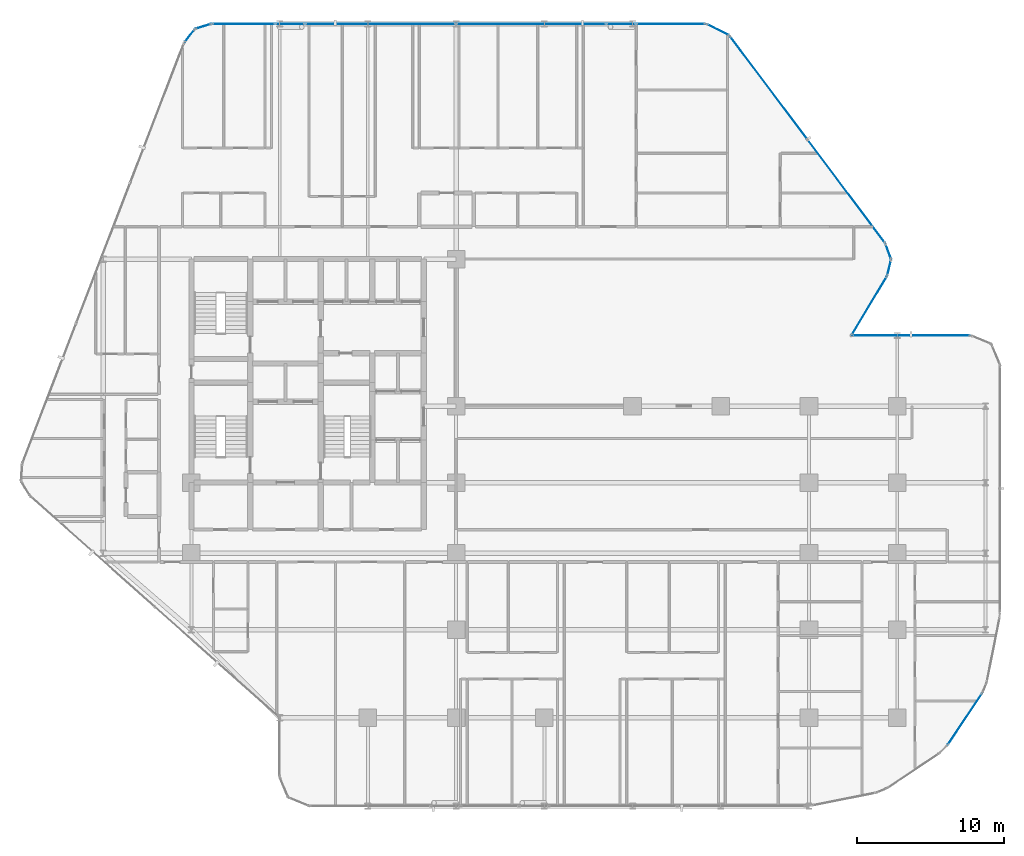
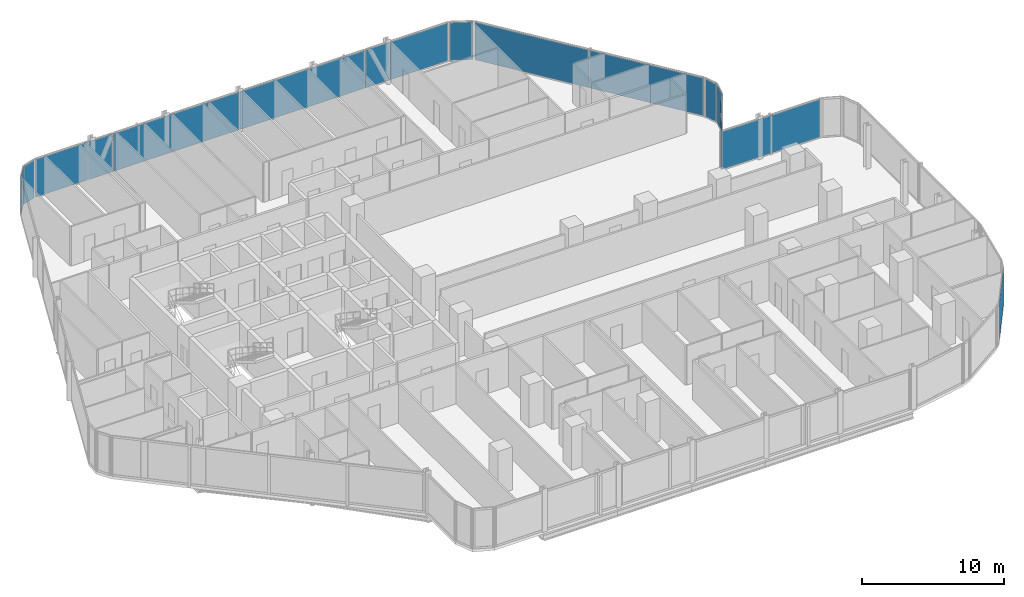
# One storey, part 24 of 34: 16 plates, 14 elements without a shape of their own.
"""IFC4 building model written with IfcOpenShell, lengths in metres."""

from ifc_helpers import new_model, si_unit, direction, frame, origin, origin_2d, place, context, subcontext, project, spatial, rectangle, extrude, material, layer, layer_set, type_object, element, aggregate, save


model = new_model("IFC4")

# Units and contexts
model_context = context("Model", 3, precision=1e-05, world=origin(), true_north=direction((0.0, 1.0)))
body_context = subcontext(model_context, "Body", "Model", "MODEL_VIEW")
ifc_project = project(units=[si_unit("LENGTHUNIT", "METRE"), si_unit("AREAUNIT", "SQUARE_METRE"), si_unit("VOLUMEUNIT", "CUBIC_METRE"), si_unit("PLANEANGLEUNIT", "RADIAN"), si_unit("MASSUNIT", "GRAM", prefix="KILO")], contexts=[model_context])

# Site, building, storey
site_placement = place(None, origin())
site = spatial("IfcSite", under=ifc_project, at=site_placement, CompositionType="ELEMENT")
building_placement = place(site_placement, origin())
building = spatial("IfcBuilding", under=site, at=building_placement, Name="Keshet Zoharim Tower", CompositionType="ELEMENT")
storey_placement = place(building_placement, frame((0.0, 0.0, 70.10009765625)))
storey = spatial("IfcBuildingStorey", under=building, at=storey_placement, Name="L16", CompositionType="ELEMENT", Elevation=70.10009765625)

# Curtain wall, plate
ifc_material_1 = material(Name="Aluminium 6063-T6", Category="aluminium")
ifc_layer_1 = layer(ifc_material_1, 0.179931640625)
ifc_layer_set_1 = layer_set([ifc_layer_1], Name="Aluminium 6063-T6")
curtain_wall_type_1 = type_object("IfcCurtainWallType", Name="CW-SYS-01", PredefinedType="NOTDEFINED", material=ifc_layer_set_1)
curtain_wall_1_placement = place(storey_placement, origin())
curtain_wall_1 = element("IfcCurtainWall", 1, at=curtain_wall_1_placement, inside=storey, type_object=curtain_wall_type_1, Name="L16 Unitised Curtain Wall 05", PredefinedType="NOTDEFINED")
ifc_material_2 = material(Name="Insulated Low-E Clear Glass", Category="glass")
ifc_layer_2 = layer(ifc_material_2, 0.035888671875)
ifc_layer_set_2 = layer_set([ifc_layer_2], Name="Insulated Low-E Clear Glass")
plate_type_1 = type_object("IfcPlateType", Name="CWP-01", PredefinedType="CURTAIN_PANEL", material=ifc_layer_set_2)
plate_1_placement = place(storey_placement, frame((14.8740234375, 53.08349609375, 0.06982421875), z_axis=(0.0, 0.0, 1.0), x_axis=(0.619124525989, 0.785292825205, 0.0)))
plate_1 = element("IfcPlate", 2, at=plate_1_placement, type_object=plate_type_1, Name="CW-01 panel 1.1", PredefinedType="CURTAIN_PANEL", context=body_context, shape_type="SweptSolid", body=[
    extrude(rectangle(XDim=1.045654296875, YDim=0.035888671875, at=origin_2d()), origin(), (0.0, 0.0, 1.0), 3.2451171875),
])
aggregate(curtain_wall_1, [plate_1])

curtain_wall_2_placement = place(storey_placement, origin())
curtain_wall_2 = element("IfcCurtainWall", 3, at=curtain_wall_2_placement, inside=storey, type_object=curtain_wall_type_1, Name="L16 Unitised Curtain Wall 06", PredefinedType="NOTDEFINED")
plate_2_placement = place(storey_placement, frame((15.8076171875, 53.724609375, 0.06982421875), z_axis=(0.0, 0.0, 1.0), x_axis=(0.955212151288, 0.295921857984, 0.0)))
plate_2 = element("IfcPlate", 4, at=plate_2_placement, type_object=plate_type_1, Name="CW-01 panel 1.1", PredefinedType="CURTAIN_PANEL", context=body_context, shape_type="SweptSolid", body=[
    extrude(rectangle(XDim=1.046142578125, YDim=0.035888671875, at=origin_2d()), origin(), (0.0, 0.0, 1.0), 3.2451171875),
])
aggregate(curtain_wall_2, [plate_2])

curtain_wall_3_placement = place(storey_placement, origin())
curtain_wall_3 = element("IfcCurtainWall", 5, at=curtain_wall_3_placement, inside=storey, type_object=curtain_wall_type_1, Name="L16 Unitised Curtain Wall 12", PredefinedType="NOTDEFINED")
plate_3_placement = place(storey_placement, frame((61.093994140625, 34.723388671875, 0.06982421875), z_axis=(0.0, 0.0, 1.0), x_axis=(-0.51446459506, -0.857511621163, 0.0)))
plate_3 = element("IfcPlate", 6, at=plate_3_placement, type_object=plate_type_1, Name="CW-01 panel 1.1", PredefinedType="CURTAIN_PANEL", context=body_context, shape_type="SweptSolid", body=[
    extrude(rectangle(XDim=4.57958984375, YDim=0.035888671875, at=origin_2d()), origin(), (0.0, 0.0, 1.0), 3.2451171875),
])
aggregate(curtain_wall_3, [plate_3])

curtain_wall_4_placement = place(storey_placement, origin())
curtain_wall_4 = element("IfcCurtainWall", 7, at=curtain_wall_4_placement, inside=storey, type_object=curtain_wall_type_1, Name="L16 Unitised Curtain Wall 20", PredefinedType="NOTDEFINED")
plate_4_placement = place(storey_placement, frame((67.60107421875, 6.615966796875, 0.06982421875), z_axis=(0.0, 0.0, 1.0), x_axis=(-0.555563243758, -0.831474282335, 0.0)))
plate_4 = element("IfcPlate", 8, at=plate_4_placement, type_object=plate_type_1, Name="CW-01 panel 1.1", PredefinedType="CURTAIN_PANEL", context=body_context, shape_type="SweptSolid", body=[
    extrude(rectangle(XDim=4.13671875, YDim=0.035888671875, at=origin_2d()), origin(), (0.0, 0.0, 1.0), 3.2451171875),
])
aggregate(curtain_wall_4, [plate_4])

ifc_layer_3 = layer(ifc_material_1, 0.169921875)
ifc_layer_set_3 = layer_set([ifc_layer_3], Name="Aluminium 6063-T6")
curtain_wall_type_2 = type_object("IfcCurtainWallType", Name="CW-SYS-02", PredefinedType="NOTDEFINED", material=ifc_layer_set_3)
curtain_wall_5_placement = place(storey_placement, origin())
curtain_wall_5 = element("IfcCurtainWall", 9, at=curtain_wall_5_placement, inside=storey, type_object=curtain_wall_type_2, Name="L16 Unitised Curtain Wall 07", PredefinedType="NOTDEFINED")
ifc_layer_4 = layer(ifc_material_2, 0.031982421875)
ifc_layer_set_4 = layer_set([ifc_layer_4], Name="Insulated Low-E Clear Glass")
plate_type_2 = type_object("IfcPlateType", Name="CWP-02", PredefinedType="CURTAIN_PANEL", material=ifc_layer_set_4)
plate_5_placement = place(storey_placement, frame((18.5556640625, 53.89990234375, 0.06982421875), z_axis=(0.0, 0.0, 1.0), x_axis=(1.0, 0.0, 0.0)))
plate_5 = element("IfcPlate", 10, at=plate_5_placement, type_object=plate_type_2, Name="CW-02 panel 1.1", PredefinedType="CURTAIN_PANEL", context=body_context, shape_type="SweptSolid", body=[
    extrude(rectangle(XDim=4.223388671875, YDim=0.031982421875, at=origin_2d()), origin(), (0.0, 0.0, 1.0), 3.2451171875),
])
aggregate(curtain_wall_5, [plate_5])

# Curtain wall, plates
curtain_wall_6_placement = place(storey_placement, origin())
curtain_wall_6 = element("IfcCurtainWall", 11, at=curtain_wall_6_placement, inside=storey, type_object=curtain_wall_type_2, Name="L16 Unitised Curtain Wall 07 Part 3", PredefinedType="NOTDEFINED")
plate_6_placement = place(storey_placement, frame((27.86376953125, 53.89990234375, 0.06982421875), z_axis=(0.0, 0.0, 1.0), x_axis=(1.0, 0.0, 0.0)))
plate_6 = element("IfcPlate", 12, at=plate_6_placement, type_object=plate_type_2, Name="CW-02 panel 1.1", PredefinedType="CURTAIN_PANEL", context=body_context, shape_type="SweptSolid", body=[
    extrude(rectangle(XDim=10.202392578125, YDim=0.031982421875, at=origin_2d()), origin(), (0.0, 0.0, 1.0), 3.2451171875),
])
plate_7_placement = place(storey_placement, frame((38.101318359375, 53.89990234375, 0.06982421875), z_axis=(0.0, 0.0, 1.0), x_axis=(1.0, 0.0, 0.0)))
plate_7 = element("IfcPlate", 13, at=plate_7_placement, type_object=plate_type_2, Name="CW-02 panel 2.1", PredefinedType="CURTAIN_PANEL", context=body_context, shape_type="SweptSolid", body=[
    extrude(rectangle(XDim=10.13232421875, YDim=0.031982421875, at=origin_2d()), origin(), (0.0, 0.0, 1.0), 3.2451171875),
])
aggregate(curtain_wall_6, [plate_6, plate_7])

# Curtain wall, plate
curtain_wall_7_placement = place(storey_placement, origin())
curtain_wall_7 = element("IfcCurtainWall", 14, at=curtain_wall_7_placement, inside=storey, type_object=curtain_wall_type_2, Name="L16 Unitised Curtain Wall 07 Part 5", PredefinedType="NOTDEFINED")
plate_8_placement = place(storey_placement, frame((47.59619140625, 53.89990234375, 0.06982421875), z_axis=(0.0, 0.0, 1.0), x_axis=(1.0, 0.0, 0.0)))
plate_8 = element("IfcPlate", 15, at=plate_8_placement, type_object=plate_type_2, Name="CW-02 panel 1.1", PredefinedType="CURTAIN_PANEL", context=body_context, shape_type="SweptSolid", body=[
    extrude(rectangle(XDim=4.66748046875, YDim=0.031982421875, at=origin_2d()), origin(), (0.0, 0.0, 1.0), 3.2451171875),
])
aggregate(curtain_wall_7, [plate_8])

curtain_wall_8_placement = place(storey_placement, origin())
curtain_wall_8 = element("IfcCurtainWall", 16, at=curtain_wall_8_placement, inside=storey, type_object=curtain_wall_type_2, Name="L16 Unitised Curtain Wall 08", PredefinedType="NOTDEFINED")
plate_9_placement = place(storey_placement, frame((50.800048828125, 53.5, 0.06982421875), z_axis=(0.0, 0.0, 1.0), x_axis=(0.894427191001, -0.447213595499, 0.0)))
plate_9 = element("IfcPlate", 17, at=plate_9_placement, type_object=plate_type_2, Name="CW-02 panel 1.1", PredefinedType="CURTAIN_PANEL", context=body_context, shape_type="SweptSolid", body=[
    extrude(rectangle(XDim=1.64892578125, YDim=0.031982421875, at=origin_2d()), origin(), (0.0, 0.0, 1.0), 3.2451171875),
])
aggregate(curtain_wall_8, [plate_9])

# Curtain wall, plates
curtain_wall_9_placement = place(storey_placement, origin())
curtain_wall_9 = element("IfcCurtainWall", 18, at=curtain_wall_9_placement, inside=storey, type_object=curtain_wall_type_2, Name="L16 Unitised Curtain Wall 09", PredefinedType="NOTDEFINED")
plate_10_placement = place(storey_placement, frame((54.2587890625, 49.554931640625, 0.06982421875), z_axis=(0.0, 0.0, 1.0), x_axis=(0.600000000002, -0.799999999998, 0.0)))
plate_10 = element("IfcPlate", 19, at=plate_10_placement, type_object=plate_type_2, Name="CW-02 panel 1.1", PredefinedType="CURTAIN_PANEL", context=body_context, shape_type="SweptSolid", body=[
    extrude(rectangle(XDim=8.722412109375, YDim=0.031982421875, at=origin_2d()), origin(), (0.0, 0.0, 1.0), 3.2451171875),
])
plate_11_placement = place(storey_placement, frame((59.5341796875, 42.52099609375, 0.06982421875), z_axis=(0.0, 0.0, 1.0), x_axis=(0.600000000002, -0.799999999998, 0.0)))
plate_11 = element("IfcPlate", 20, at=plate_11_placement, type_object=plate_type_2, Name="CW-02 panel 2.1", PredefinedType="CURTAIN_PANEL", context=body_context, shape_type="SweptSolid", body=[
    extrude(rectangle(XDim=8.722412109375, YDim=0.031982421875, at=origin_2d()), origin(), (0.0, 0.0, 1.0), 3.2451171875),
])
aggregate(curtain_wall_9, [plate_10, plate_11])

# Curtain wall, plate
curtain_wall_10_placement = place(storey_placement, origin())
curtain_wall_10 = element("IfcCurtainWall", 21, at=curtain_wall_10_placement, inside=storey, type_object=curtain_wall_type_2, Name="L16 Unitised Curtain Wall 10", PredefinedType="NOTDEFINED")
plate_12_placement = place(storey_placement, frame((62.3916015625, 38.427490234375, 0.06982421875), z_axis=(0.0, 0.0, 1.0), x_axis=(0.340297354046, -0.940317877544, 0.0)))
plate_12 = element("IfcPlate", 22, at=plate_12_placement, type_object=plate_type_2, Name="CW-02 panel 1.1", PredefinedType="CURTAIN_PANEL", context=body_context, shape_type="SweptSolid", body=[
    extrude(rectangle(XDim=1.026611328125, YDim=0.031982421875, at=origin_2d()), origin(), (0.0, 0.0, 1.0), 3.2451171875),
])
aggregate(curtain_wall_10, [plate_12])

curtain_wall_11_placement = place(storey_placement, origin())
curtain_wall_11 = element("IfcCurtainWall", 23, at=curtain_wall_11_placement, inside=storey, type_object=curtain_wall_type_2, Name="L16 Unitised Curtain Wall 11", PredefinedType="NOTDEFINED")
plate_13_placement = place(storey_placement, frame((62.448974609375, 37.31298828125, 0.06982421875), z_axis=(0.0, 0.0, 1.0), x_axis=(-0.241728770141, -0.970343857447, 0.0)))
plate_13 = element("IfcPlate", 24, at=plate_13_placement, type_object=plate_type_2, Name="CW-02 panel 1.1", PredefinedType="CURTAIN_PANEL", context=body_context, shape_type="SweptSolid", body=[
    extrude(rectangle(XDim=1.026611328125, YDim=0.031982421875, at=origin_2d()), origin(), (0.0, 0.0, 1.0), 3.2451171875),
])
aggregate(curtain_wall_11, [plate_13])

curtain_wall_12_placement = place(storey_placement, origin())
curtain_wall_12 = element("IfcCurtainWall", 25, at=curtain_wall_12_placement, inside=storey, type_object=curtain_wall_type_2, Name="L16 Unitised Curtain Wall 13", PredefinedType="NOTDEFINED")
plate_14_placement = place(storey_placement, frame((63.93994140625, 32.699951171875, 0.06982421875), z_axis=(0.0, 0.0, 1.0), x_axis=(1.0, 0.0, 0.0)))
plate_14 = element("IfcPlate", 26, at=plate_14_placement, type_object=plate_type_2, Name="CW-02 panel 1.1", PredefinedType="CURTAIN_PANEL", context=body_context, shape_type="SweptSolid", body=[
    extrude(rectangle(XDim=7.97998046875, YDim=0.031982421875, at=origin_2d()), origin(), (0.0, 0.0, 1.0), 3.2451171875),
])
aggregate(curtain_wall_12, [plate_14])

curtain_wall_13_placement = place(storey_placement, origin())
curtain_wall_13 = element("IfcCurtainWall", 27, at=curtain_wall_13_placement, inside=storey, type_object=curtain_wall_type_2, Name="L16 Unitised Curtain Wall 07 Part 2", PredefinedType="NOTDEFINED")
ifc_material_3 = material(Name="Insulated Aluminium Spandrel Panel", Category="aluminium")
ifc_layer_5 = layer(ifc_material_3, 0.031982421875)
ifc_layer_set_5 = layer_set([ifc_layer_5], Name="Insulated Aluminium Spandrel Panel")
plate_type_3 = type_object("IfcPlateType", Name="CWP-05", PredefinedType="CURTAIN_PANEL", material=ifc_layer_set_5)
plate_15_placement = place(storey_placement, frame((21.715087890625, 53.89990234375, 0.06982421875), z_axis=(0.0, 0.0, 1.0), x_axis=(1.0, 0.0, 0.0)))
plate_15 = element("IfcPlate", 28, at=plate_15_placement, type_object=plate_type_3, Name="CW-02 spandrel panel 1.1", PredefinedType="CURTAIN_PANEL", context=body_context, shape_type="SweptSolid", body=[
    extrude(rectangle(XDim=1.955078125, YDim=0.031982421875, at=origin_2d()), origin(), (0.0, 0.0, 1.0), 3.2451171875),
])
aggregate(curtain_wall_13, [plate_15])

curtain_wall_14_placement = place(storey_placement, origin())
curtain_wall_14 = element("IfcCurtainWall", 29, at=curtain_wall_14_placement, inside=storey, type_object=curtain_wall_type_2, Name="L16 Unitised Curtain Wall 07 Part 4", PredefinedType="NOTDEFINED")
plate_16_placement = place(storey_placement, frame((44.215087890625, 53.89990234375, 0.06982421875), z_axis=(0.0, 0.0, 1.0), x_axis=(1.0, 0.0, 0.0)))
plate_16 = element("IfcPlate", 30, at=plate_16_placement, type_object=plate_type_3, Name="CW-02 spandrel panel 1.1", PredefinedType="CURTAIN_PANEL", context=body_context, shape_type="SweptSolid", body=[
    extrude(rectangle(XDim=1.955078125, YDim=0.031982421875, at=origin_2d()), origin(), (0.0, 0.0, 1.0), 3.2451171875),
])
aggregate(curtain_wall_14, [plate_16])

save(model, "model.ifc")
